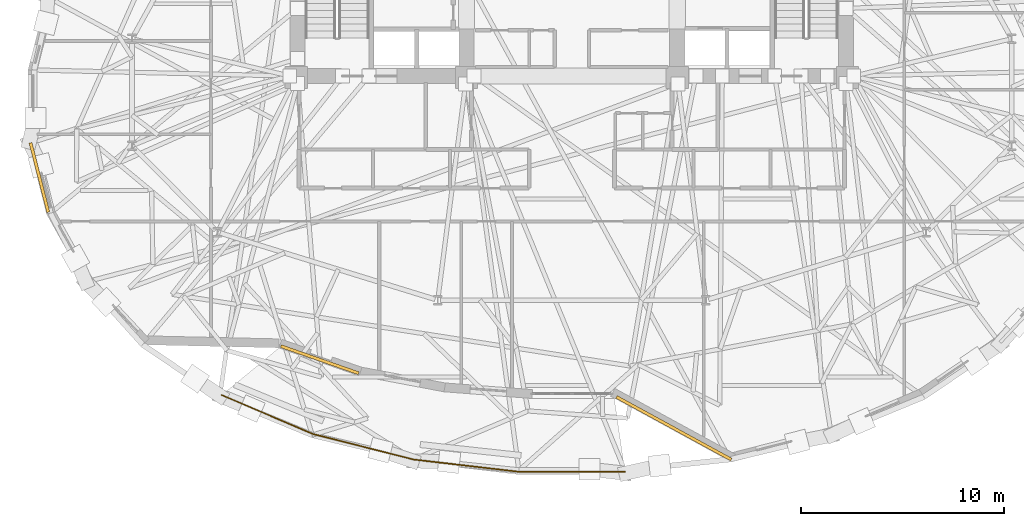
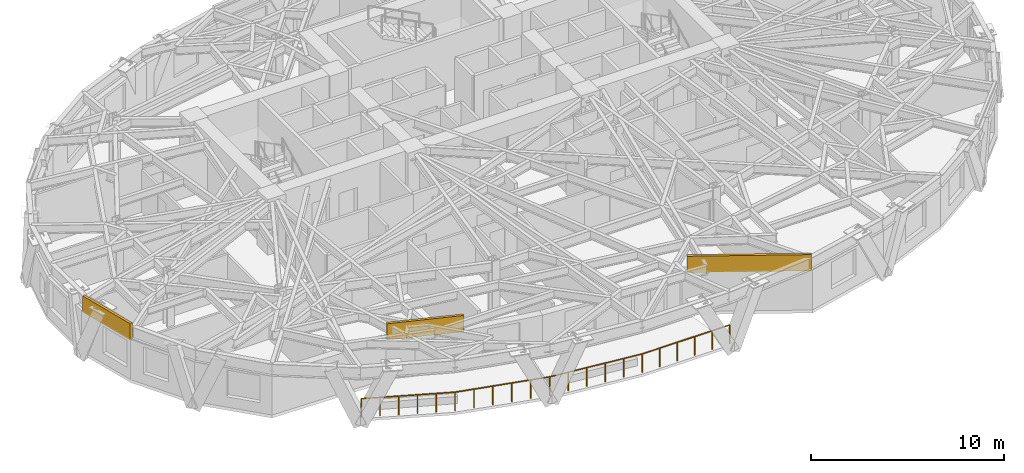
# One storey, part 12 of 15: 3 coverings, 1 railing.
"""IFC4 building model written with IfcOpenShell, lengths in metres."""

from ifc_helpers import new_model, si_unit, direction, frame, origin, origin_2d, place, context, subcontext, project, spatial, rectangle, circle, extrude, material, layer, layer_set, type_object, element, save


model = new_model("IFC4")

# Units and contexts
model_context = context("Model", 3, precision=1e-05, world=origin(), true_north=direction((0.0, 1.0)))
body_context = subcontext(model_context, "Body", "Model", "MODEL_VIEW")
ifc_project = project(units=[si_unit("LENGTHUNIT", "METRE"), si_unit("AREAUNIT", "SQUARE_METRE"), si_unit("VOLUMEUNIT", "CUBIC_METRE"), si_unit("PLANEANGLEUNIT", "RADIAN"), si_unit("MASSUNIT", "GRAM", prefix="KILO")], contexts=[model_context])

# Site, building, storey
site_placement = place(None, origin())
site = spatial("IfcSite", under=ifc_project, at=site_placement, CompositionType="ELEMENT")
building_placement = place(site_placement, origin())
building = spatial("IfcBuilding", under=site, at=building_placement, Name="Keldmark Tower", CompositionType="ELEMENT")
storey_placement = place(building_placement, frame((0.0, 0.0, 114.10009765625)))
storey = spatial("IfcBuildingStorey", under=building, at=storey_placement, Name="L30", CompositionType="ELEMENT", Elevation=114.10009765625)

# Railing
ifc_material_1 = material(Name="DuPont SentryGlas Laminated Glass and Stainless Posts", Category="glass")
railing_type = type_object("IfcRailingType", Name="Heated Laminated Glass Wind-Baffle Guard 1200 mm", PredefinedType="GUARDRAIL", material=ifc_material_1)
railing_placement = place(storey_placement, frame((-17.26708984375, -14.263916015625, 0.0)))
element("IfcRailing", 1, at=railing_placement, inside=storey, type_object=railing_type, Name="L30 Terrace Laminated Glass Wind-Baffle Guard TERR 01", PredefinedType="GUARDRAIL", context=body_context, shape_type="SweptSolid", body=[
    extrude(circle(Radius=0.02392578125, at=origin_2d()), frame((0.0, 0.0, 1.17578125), z_axis=(0.91986785172, -0.392228422443, 0.0), x_axis=(0.392228422443, 0.91986785172, 0.0)), (0.0, 0.0, 1.0), 4.898681640625),
    extrude(circle(Radius=0.02392578125, at=origin_2d()), frame((4.506103515625, -1.92138671875, 1.17578125), z_axis=(0.969285531301, -0.245938119882, 0.0), x_axis=(0.245938119882, 0.969285531301, 0.0)), (0.0, 0.0, 1.0), 5.11328125),
    extrude(circle(Radius=0.02392578125, at=origin_2d()), frame((9.46240234375, -3.178955078125, 1.17578125), z_axis=(0.99333743259, -0.115242114765, 0.0), x_axis=(0.115242114765, 0.99333743259, 0.0)), (0.0, 0.0, 1.0), 5.2177734375),
    extrude(circle(Radius=0.02392578125, at=origin_2d()), frame((14.6455078125, -3.7802734375, 1.17578125), z_axis=(1.0, 0.0, 0.0), x_axis=(0.0, 1.0, 0.0)), (0.0, 0.0, 1.0), 5.2431640625),
    extrude(circle(Radius=0.02099609375, at=origin_2d()), origin(), (0.0, 0.0, 1.0), 1.15185546875),
    extrude(circle(Radius=0.02099609375, at=origin_2d()), frame((0.901123046875, -0.38427734375, 0.0)), (0.0, 0.0, 1.0), 1.15185546875),
    extrude(circle(Radius=0.02099609375, at=origin_2d()), frame((1.802490234375, -0.7685546875, 0.0)), (0.0, 0.0, 1.0), 1.15185546875),
    extrude(circle(Radius=0.02099609375, at=origin_2d()), frame((2.70361328125, -1.15283203125, 0.0)), (0.0, 0.0, 1.0), 1.15185546875),
    extrude(circle(Radius=0.02099609375, at=origin_2d()), frame((3.60498046875, -1.537109375, 0.0)), (0.0, 0.0, 1.0), 1.15185546875),
    extrude(circle(Radius=0.02099609375, at=origin_2d()), frame((4.506103515625, -1.92138671875, 0.0)), (0.0, 0.0, 1.0), 1.15185546875),
    extrude(circle(Radius=0.02099609375, at=origin_2d()), frame((5.497314453125, -2.1728515625, 0.0)), (0.0, 0.0, 1.0), 1.15185546875),
    extrude(circle(Radius=0.02099609375, at=origin_2d()), frame((6.488525390625, -2.42431640625, 0.0)), (0.0, 0.0, 1.0), 1.15185546875),
    extrude(circle(Radius=0.02099609375, at=origin_2d()), frame((7.47998046875, -2.676025390625, 0.0)), (0.0, 0.0, 1.0), 1.15185546875),
    extrude(circle(Radius=0.02099609375, at=origin_2d()), frame((8.47119140625, -2.927490234375, 0.0)), (0.0, 0.0, 1.0), 1.15185546875),
    extrude(circle(Radius=0.02099609375, at=origin_2d()), frame((9.46240234375, -3.178955078125, 0.0)), (0.0, 0.0, 1.0), 1.15185546875),
    extrude(circle(Radius=0.02099609375, at=origin_2d()), frame((10.4990234375, -3.29931640625, 0.0)), (0.0, 0.0, 1.0), 1.15185546875),
    extrude(circle(Radius=0.02099609375, at=origin_2d()), frame((11.53564453125, -3.41943359375, 0.0)), (0.0, 0.0, 1.0), 1.15185546875),
    extrude(circle(Radius=0.02099609375, at=origin_2d()), frame((12.572265625, -3.539794921875, 0.0)), (0.0, 0.0, 1.0), 1.15185546875),
    extrude(circle(Radius=0.02099609375, at=origin_2d()), frame((13.60888671875, -3.659912109375, 0.0)), (0.0, 0.0, 1.0), 1.15185546875),
    extrude(circle(Radius=0.02099609375, at=origin_2d()), frame((14.6455078125, -3.7802734375, 0.0)), (0.0, 0.0, 1.0), 1.15185546875),
    extrude(circle(Radius=0.02099609375, at=origin_2d()), frame((15.694091796875, -3.7802734375, 0.0)), (0.0, 0.0, 1.0), 1.15185546875),
    extrude(circle(Radius=0.02099609375, at=origin_2d()), frame((16.74267578125, -3.7802734375, 0.0)), (0.0, 0.0, 1.0), 1.15185546875),
    extrude(circle(Radius=0.02099609375, at=origin_2d()), frame((17.79150390625, -3.7802734375, 0.0)), (0.0, 0.0, 1.0), 1.15185546875),
    extrude(circle(Radius=0.02099609375, at=origin_2d()), frame((18.840087890625, -3.7802734375, 0.0)), (0.0, 0.0, 1.0), 1.15185546875),
    extrude(circle(Radius=0.02099609375, at=origin_2d()), frame((19.888671875, -3.7802734375, 0.0)), (0.0, 0.0, 1.0), 1.15185546875),
])

# Coverings
ifc_material_2 = material(Name="Honed Kasota Buff Dolomitic Limestone", Category="masonry")
ifc_layer = layer(ifc_material_2, 0.074951171875)
ifc_layer_set = layer_set([ifc_layer], Name="Honed Kasota Buff Dolomitic Limestone")
covering_type = type_object("IfcCoveringType", Name="Kasota Buff Limestone Spandrel Cladding Band", PredefinedType="CLADDING", material=ifc_layer_set)
covering_1_placement = place(storey_placement, frame((-26.262451171875, -3.533203125, 2.45166015625), z_axis=(0.0, 0.0, 1.0), x_axis=(0.24716813411, -0.968972607188, 0.0)))
element("IfcCovering", 2, at=covering_1_placement, inside=storey, type_object=covering_type, Name="L30 Kasota Limestone Spandrel Band 17", PredefinedType="CLADDING", context=body_context, shape_type="SweptSolid", body=[
    extrude(rectangle(XDim=3.532470703125, YDim=0.14990234375, at=origin_2d()), origin(), (0.0, 0.0, 1.0), 1.028076171875),
])
covering_2_placement = place(storey_placement, frame((-12.433837890625, -12.518310546875, 2.45166015625), z_axis=(0.0, 0.0, 1.0), x_axis=(0.944175300847, -0.32944347204, 0.0)))
element("IfcCovering", 3, at=covering_2_placement, inside=storey, type_object=covering_type, Name="L30 Kasota Limestone Spandrel Band 21", PredefinedType="CLADDING", context=body_context, shape_type="SweptSolid", body=[
    extrude(rectangle(XDim=4.063720703125, YDim=0.14990234375, at=origin_2d()), origin(), (0.0, 0.0, 1.0), 1.028076171875),
])
covering_3_placement = place(storey_placement, frame((5.03125, -15.89990234375, 2.45166015625), z_axis=(0.0, 0.0, 1.0), x_axis=(0.877698759392, -0.479212779213, 0.0)))
element("IfcCovering", 4, at=covering_3_placement, inside=storey, type_object=covering_type, Name="L30 Kasota Limestone Spandrel Band 25", PredefinedType="CLADDING", context=body_context, shape_type="SweptSolid", body=[
    extrude(rectangle(XDim=6.4501953125, YDim=0.14990234375, at=origin_2d()), origin(), (0.0, 0.0, 1.0), 1.028076171875),
])

save(model, "model.ifc")
